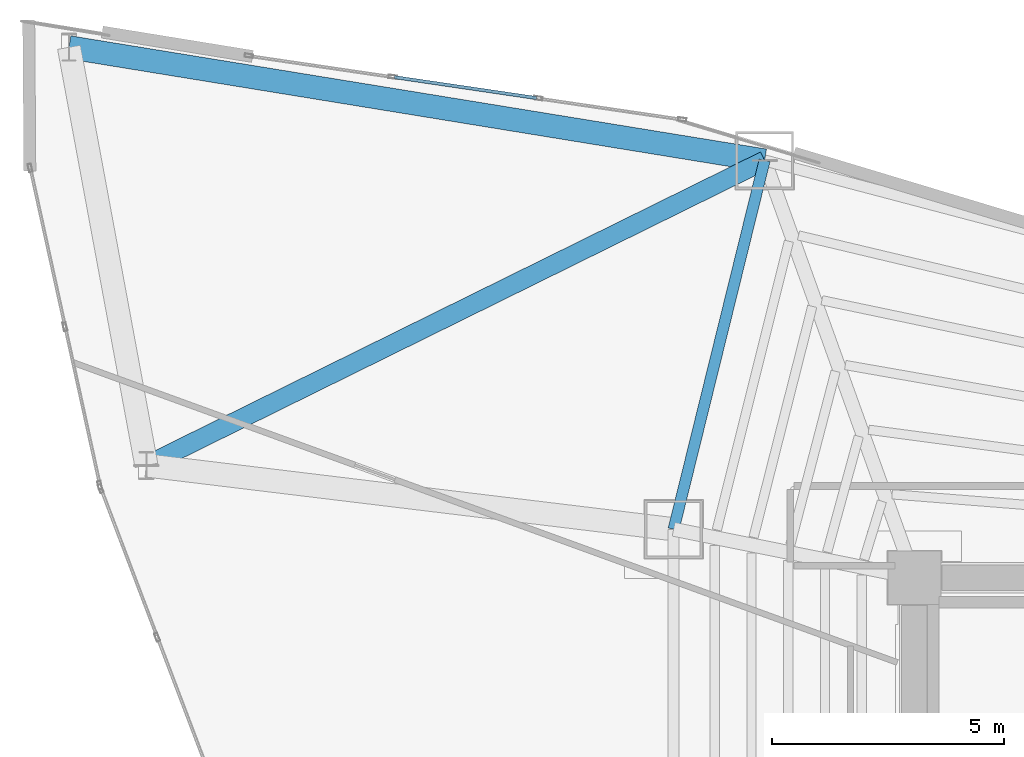
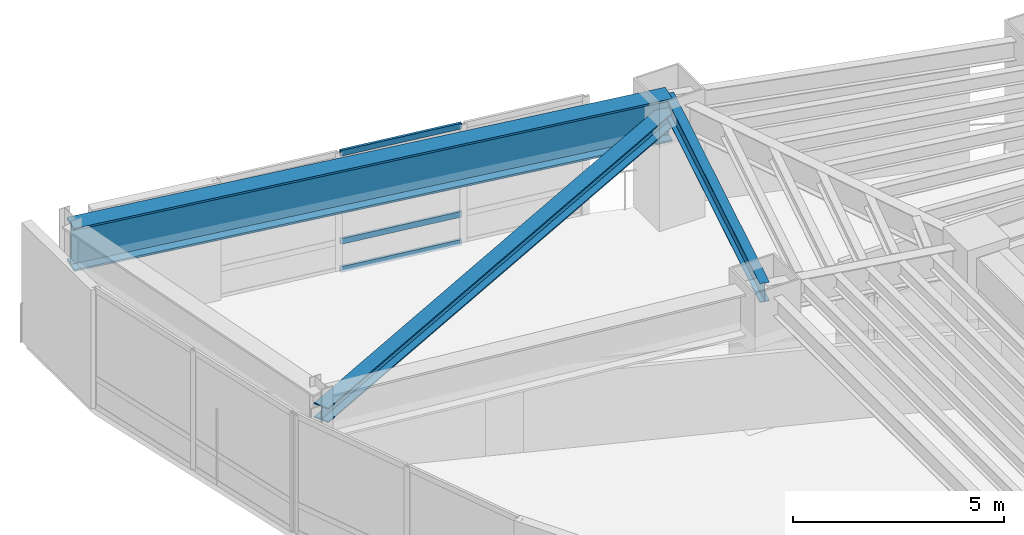
# One storey, part 11 of 25: 4 members, 2 beams, 1 element without a shape of its own.
"""IFC4 building model written with IfcOpenShell, lengths in metres."""

from ifc_helpers import new_model, si_unit, direction, frame, origin, origin_2d, place, context, subcontext, project, spatial, hollow_rectangle, i_section, extrude, material, layer, layer_set, material_profile, profile_set, type_object, element, aggregate, save


model = new_model("IFC4")

# Units and contexts
model_context = context("Model", 3, precision=1e-05, world=origin(), true_north=direction((0.0, 1.0)))
body_context = subcontext(model_context, "Body", "Model", "MODEL_VIEW")
ifc_project = project(units=[si_unit("LENGTHUNIT", "METRE"), si_unit("AREAUNIT", "SQUARE_METRE"), si_unit("VOLUMEUNIT", "CUBIC_METRE"), si_unit("PLANEANGLEUNIT", "RADIAN"), si_unit("MASSUNIT", "GRAM", prefix="KILO")], contexts=[model_context])

# Site, building, storey
site_placement = place(None, origin())
site = spatial("IfcSite", under=ifc_project, at=site_placement, CompositionType="ELEMENT")
building_placement = place(site_placement, origin())
building = spatial("IfcBuilding", under=site, at=building_placement, Name="Menara Vayukalpa", CompositionType="ELEMENT")
storey_placement = place(building_placement, frame((0.0, 0.0, 115.139892578125)))
storey = spatial("IfcBuildingStorey", under=building, at=storey_placement, Name="L28", CompositionType="ELEMENT", Elevation=115.139892578125)

# Beams
ifc_material_1 = material(Name="Steel S355", Category="steel")
ifc_material_profile_1 = material_profile(ifc_material_1, i_section(OverallWidth=0.239990234375, OverallDepth=0.550048828125, WebThickness=0.010986328125, FlangeThickness=0.01904296875, at=origin_2d()), Name="WF 550x240x11x19")
ifc_profile_set_1 = profile_set([ifc_material_profile_1], Name="Steel S355")
beam_type_1 = type_object("IfcBeamType", Name="BM-SP2", PredefinedType="SPANDREL", material=ifc_profile_set_1)
beam_1_placement = place(storey_placement, frame((14.569091796875, 35.79736328125, 3.1650390625), z_axis=(-0.239602739234, -0.970871014786, 0.0), x_axis=(0.970871014786, -0.239602739234, 0.0)))
element("IfcBeam", 1, at=beam_1_placement, inside=storey, type_object=beam_type_1, Name="L28 Perimeter Spandrel Beam SP04", PredefinedType="SPANDREL", context=body_context, shape_type="SweptSolid", body=[
    extrude(i_section(OverallWidth=0.239990234375, OverallDepth=0.550048828125, WebThickness=0.010986328125, FlangeThickness=0.01904296875, at=origin_2d()), origin(), (0.0, 0.0, 1.0), 8.190185546875),
])
ifc_material_2 = material(Name="Steel S460", Category="steel")
ifc_material_profile_2 = material_profile(ifc_material_2, i_section(OverallWidth=0.5, OverallDepth=1.25, WebThickness=0.028076171875, FlangeThickness=0.054931640625, at=origin_2d()), Name="WG 1250x500x28x55")
ifc_profile_set_2 = profile_set([ifc_material_profile_2], Name="Steel S460")
beam_type_2 = type_object("IfcBeamType", Name="BM-TG2", PredefinedType="BEAM", material=ifc_profile_set_2)
beam_2_placement = place(storey_placement, frame((14.569091796875, 35.79736328125, 2.815185546875), z_axis=(-0.987023560608, 0.160575498766, 0.0), x_axis=(-0.160575498766, -0.987023560608, 0.0)))
element("IfcBeam", 2, at=beam_2_placement, inside=storey, type_object=beam_type_2, Name="L28 SB2 Sky Bar Vierendeel Girder 04", PredefinedType="BEAM", context=body_context, shape_type="SweptSolid", body=[
    extrude(i_section(OverallWidth=0.5, OverallDepth=1.25, WebThickness=0.028076171875, FlangeThickness=0.054931640625, at=origin_2d()), origin(), (0.0, 0.0, 1.0), 15.195068359375),
])

# Curtain wall, members
ifc_material_3 = material(Name="Anodised Terracotta Aluminium Alloy 6063-T6", Category="masonry")
ifc_layer = layer(ifc_material_3, 0.179931640625)
ifc_layer_set = layer_set([ifc_layer], Name="Anodised Terracotta Aluminium Alloy 6063-T6")
curtain_wall_type = type_object("IfcCurtainWallType", Name="CW-CW4", PredefinedType="USERDEFINED", material=ifc_layer_set)
curtain_wall_placement = place(storey_placement, origin())
curtain_wall = element("IfcCurtainWall", 3, at=curtain_wall_placement, inside=storey, type_object=curtain_wall_type, Name="L28 Sky Bar Cantilever Glazed Curtain Wall CW4 07", ObjectType="UNITISED", PredefinedType="USERDEFINED")
ifc_material_4 = material(Name="Anodised Terracotta Aluminium Alloy 6063-T6", Category="masonry")
ifc_material_profile_3 = material_profile(ifc_material_4, hollow_rectangle(XDim=0.070068359375, YDim=0.1650390625, WallThickness=0.00390625, at=origin_2d()), Name="ALU 70x165x4")
ifc_profile_set_3 = profile_set([ifc_material_profile_3], Name="Anodised Terracotta Aluminium Alloy 6063-T6")
member_type_1 = type_object("IfcMemberType", Name="CWT-CW4", PredefinedType="USERDEFINED", material=ifc_profile_set_3)
member_1_placement = place(storey_placement, frame((9.653564453125, 37.142822265625, 0.03515625), z_axis=(-0.98935780051, 0.14550306722, 0.0), x_axis=(-0.14550306722, -0.98935780051, 0.0)))
member_1 = element("IfcMember", 4, at=member_1_placement, type_object=member_type_1, Name="CW4 transom 2.1", ObjectType="TRANSOM", PredefinedType="USERDEFINED", context=body_context, shape_type="SweptSolid", body=[
    extrude(hollow_rectangle(XDim=0.070068359375, YDim=0.1650390625, WallThickness=0.00390625, at=origin_2d()), origin(), (0.0, 0.0, 1.0), 3.097412109375),
])
member_2_placement = place(storey_placement, frame((9.653564453125, 37.142822265625, 0.85009765625), z_axis=(-0.98935780051, 0.14550306722, 0.0), x_axis=(-0.14550306722, -0.98935780051, 0.0)))
member_2 = element("IfcMember", 5, at=member_2_placement, type_object=member_type_1, Name="CW4 transom 2.2", ObjectType="TRANSOM", PredefinedType="USERDEFINED", context=body_context, shape_type="SweptSolid", body=[
    extrude(hollow_rectangle(XDim=0.070068359375, YDim=0.1650390625, WallThickness=0.00390625, at=origin_2d()), origin(), (0.0, 0.0, 1.0), 3.097412109375),
])
member_3_placement = place(storey_placement, frame((9.653564453125, 37.142822265625, 3.405029296875), z_axis=(-0.98935780051, 0.14550306722, 0.0), x_axis=(-0.14550306722, -0.98935780051, 0.0)))
member_3 = element("IfcMember", 6, at=member_3_placement, type_object=member_type_1, Name="CW4 transom 2.3", ObjectType="TRANSOM", PredefinedType="USERDEFINED", context=body_context, shape_type="SweptSolid", body=[
    extrude(hollow_rectangle(XDim=0.070068359375, YDim=0.1650390625, WallThickness=0.00390625, at=origin_2d()), origin(), (0.0, 0.0, 1.0), 3.097412109375),
])
aggregate(curtain_wall, [member_1, member_2, member_3])

# Member
ifc_material_5 = material(Name="Steel S460", Category="steel")
ifc_material_profile_4 = material_profile(ifc_material_5, i_section(OverallWidth=0.406982421875, OverallDepth=0.427978515625, WebThickness=0.02001953125, FlangeThickness=0.034912109375, at=origin_2d()), Name="H 428x407x20x35")
ifc_profile_set_4 = profile_set([ifc_material_profile_4], Name="Steel S460")
member_type_2 = type_object("IfcMemberType", Name="MEM-BR1", PredefinedType="BRACE", material=ifc_profile_set_4)
member_4_placement = place(storey_placement, frame((14.569091796875, 35.79736328125, 2.815185546875), z_axis=(-0.896845161213, -0.442344613179, 0.0), x_axis=(0.442344613179, -0.896845161213, 0.0)))
element("IfcMember", 7, at=member_4_placement, inside=storey, type_object=member_type_2, Name="L28 SB2 Sky Bar Diaphragm Truss Brace 04", PredefinedType="BRACE", context=body_context, shape_type="SweptSolid", body=[
    extrude(i_section(OverallWidth=0.406982421875, OverallDepth=0.427978515625, WebThickness=0.02001953125, FlangeThickness=0.034912109375, at=origin_2d()), origin(), (0.0, 0.0, 1.0), 14.8623046875),
])

save(model, "model.ifc")
